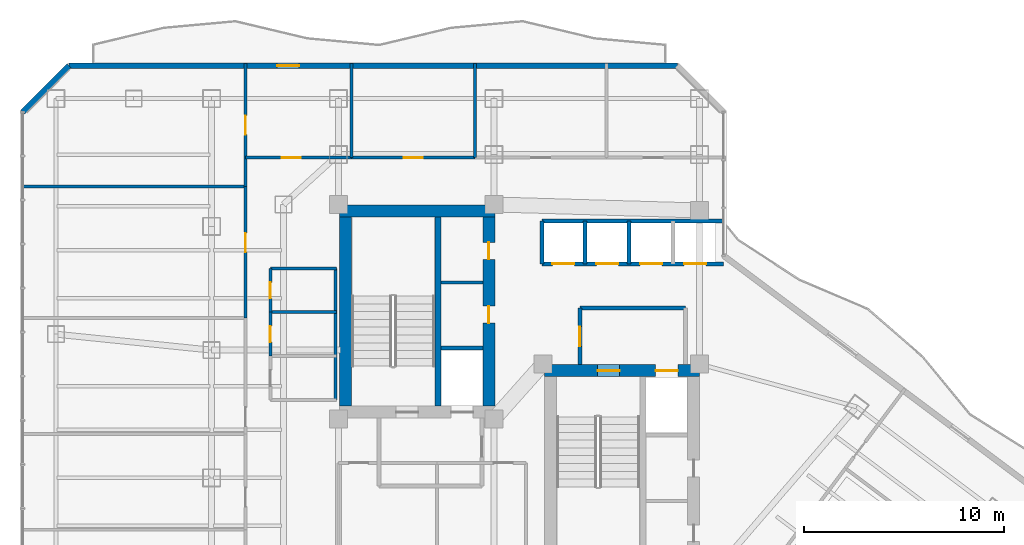
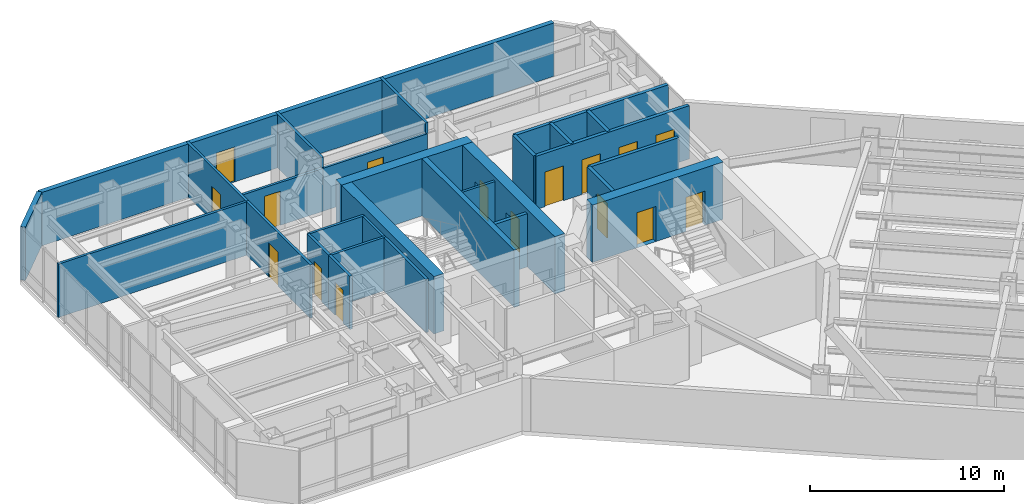
# One storey, part 25 of 31: 28 walls, 16 doors, 16 openings.
"""IFC4 building model written with IfcOpenShell, lengths in metres."""

from ifc_helpers import new_model, si_unit, direction, frame, frame_2d, origin, place, context, subcontext, project, spatial, rectangle, extrude, material, layer, layer_set, type_object, element, fill, save


model = new_model("IFC4")

# Units and contexts
model_context = context("Model", 3, precision=1e-05, world=origin(), true_north=direction((0.0, 1.0)))
body_context = subcontext(model_context, "Body", "Model", "MODEL_VIEW")
ifc_project = project(units=[si_unit("LENGTHUNIT", "METRE"), si_unit("AREAUNIT", "SQUARE_METRE"), si_unit("VOLUMEUNIT", "CUBIC_METRE"), si_unit("PLANEANGLEUNIT", "RADIAN"), si_unit("MASSUNIT", "GRAM", prefix="KILO")], contexts=[model_context])

# Site, building, storey
site_placement = place(None, origin())
site = spatial("IfcSite", under=ifc_project, at=site_placement, CompositionType="ELEMENT")
building_placement = place(site_placement, origin())
building = spatial("IfcBuilding", under=site, at=building_placement, Name="Hatsunagi Terrace Concourse", CompositionType="ELEMENT")
storey_placement = place(building_placement, frame((0.0, 0.0, 112.050048828125)))
storey = spatial("IfcBuildingStorey", under=building, at=storey_placement, Name="L29", CompositionType="ELEMENT", Elevation=112.050048828125)

# Walls
ifc_material_1 = material(Name="Concrete Fc48", Category="concrete")
ifc_layer_1 = layer(ifc_material_1, 0.60009765625)
ifc_layer_set_1 = layer_set([ifc_layer_1], Name="CoreShearWall_Fc48_600")
wall_type_1 = type_object("IfcWallType", Name="CoreShearWall_Fc48_600", PredefinedType="SHEAR", material=ifc_layer_set_1)
wall_1_placement = place(storey_placement, frame((25.6201171875, 42.969970703125, 0.0), z_axis=(0.0, 0.0, 1.0), x_axis=(1.0, 0.0, 0.0)))
element("IfcWall", 1, at=wall_1_placement, inside=storey, type_object=wall_type_1, Name="Core A Shear Wall N L29", PredefinedType="SHEAR", context=body_context, shape_type="SweptSolid", body=[
    extrude(rectangle(XDim=7.77978515625, YDim=0.60009765625, at=frame_2d((3.889892578125, 0.0))), origin(), (0.0, 0.0, 1.0), 3.599853515625),
])
wall_2_placement = place(storey_placement, frame((25.919921875, 33.18994140625, 0.0), z_axis=(0.0, 0.0, 1.0), x_axis=(0.0, 1.0, 0.0)))
element("IfcWall", 2, at=wall_2_placement, inside=storey, type_object=wall_type_1, Name="Core A Shear Wall W L29", PredefinedType="SHEAR", context=body_context, shape_type="SweptSolid", body=[
    extrude(rectangle(XDim=9.47998046875, YDim=0.60009765625, at=frame_2d((4.739990234375, 0.0))), origin(), (0.0, 0.0, 1.0), 3.599853515625),
])

# Wall, openings, doors
wall_3_placement = place(storey_placement, frame((33.10009765625, 33.18994140625, 0.0), z_axis=(0.0, 0.0, 1.0), x_axis=(0.0, 1.0, 0.0)))
wall_3 = element("IfcWall", 3, at=wall_3_placement, inside=storey, type_object=wall_type_1, Name="Core A Shear Wall E L29", PredefinedType="SHEAR", context=body_context, shape_type="SweptSolid", body=[
    extrude(rectangle(XDim=9.47998046875, YDim=0.60009765625, at=frame_2d((4.739990234375, 0.0))), origin(), (0.0, 0.0, 1.0), 3.599853515625),
])
opening_1_placement = place(wall_3_placement, frame((4.159912109375, 0.0, 0.0)))
opening_1 = element("IfcOpeningElement", 4, at=opening_1_placement, cuts=wall_3, Name="Opening DR-085", PredefinedType="OPENING", context=body_context, shape_type="SweptSolid", body=[
    extrude(rectangle(XDim=0.85009765625, YDim=2.080078125, at=frame_2d((0.425048828125, 1.0400390625))), frame((0.0, 0.31005859375, 0.0), z_axis=(0.0, -1.0, 0.0), x_axis=(1.0, 0.0, 0.0)), (0.0, 0.0, 1.0), 0.6201171875),
])
opening_2_placement = place(wall_3_placement, frame((7.360107421875, 0.0, 0.0)))
opening_2 = element("IfcOpeningElement", 5, at=opening_2_placement, cuts=wall_3, Name="Opening DR-085", PredefinedType="OPENING", context=body_context, shape_type="SweptSolid", body=[
    extrude(rectangle(XDim=0.85009765625, YDim=2.080078125, at=frame_2d((0.425048828125, 1.0400390625))), frame((0.0, 0.31005859375, 0.0), z_axis=(0.0, -1.0, 0.0), x_axis=(1.0, 0.0, 0.0)), (0.0, 0.0, 1.0), 0.6201171875),
])
ifc_material_2 = material(Name="Painted steel", Category="steel")
door_type_1 = type_object("IfcDoorType", Name="RiserAccessDoor_EI60_850", OperationType="NOTDEFINED", PredefinedType="DOOR", material=ifc_material_2)
door_1_placement = place(opening_1_placement, origin())
door_1 = element("IfcDoor", 6, at=door_1_placement, inside=storey, type_object=door_type_1, Name="Core A Riser Door L29-1", OperationType="SINGLE_SWING_LEFT", OverallHeight=2.080078125, OverallWidth=0.85009765625, PredefinedType="DOOR", context=body_context, shape_type="SweptSolid", body=[
    extrude(rectangle(XDim=0.85009765625, YDim=2.080078125, at=frame_2d((0.425048828125, 1.0400390625))), frame((0.0, 0.02490234375, 0.0), z_axis=(0.0, -1.0, 0.0), x_axis=(1.0, 0.0, 0.0)), (0.0, 0.0, 1.0), 0.050048828125),
])
fill(opening_1, door_1)
door_2_placement = place(opening_2_placement, origin())
door_2 = element("IfcDoor", 7, at=door_2_placement, inside=storey, type_object=door_type_1, Name="Core A Riser Door L29-2", OperationType="SINGLE_SWING_LEFT", OverallHeight=2.080078125, OverallWidth=0.85009765625, PredefinedType="DOOR", context=body_context, shape_type="SweptSolid", body=[
    extrude(rectangle(XDim=0.85009765625, YDim=2.080078125, at=frame_2d((0.425048828125, 1.0400390625))), frame((0.0, 0.02490234375, 0.0), z_axis=(0.0, -1.0, 0.0), x_axis=(1.0, 0.0, 0.0)), (0.0, 0.0, 1.0), 0.050048828125),
])
fill(opening_2, door_2)

wall_4_placement = place(storey_placement, frame((35.889892578125, 34.969970703125, 0.0), z_axis=(0.0, 0.0, 1.0), x_axis=(1.0, 0.0, 0.0)))
wall_4 = element("IfcWall", 8, at=wall_4_placement, inside=storey, type_object=wall_type_1, Name="Core B Shear Wall N L29", PredefinedType="SHEAR", context=body_context, shape_type="SweptSolid", body=[
    extrude(rectangle(XDim=7.760009765625, YDim=0.60009765625, at=frame_2d((3.8798828125, 0.0))), origin(), (0.0, 0.0, 1.0), 3.599853515625),
])
opening_3_placement = place(wall_4_placement, frame((2.659912109375, 0.0, 0.0)))
opening_3 = element("IfcOpeningElement", 9, at=opening_3_placement, cuts=wall_4, Name="Opening DR-110S", PredefinedType="OPENING", context=body_context, shape_type="SweptSolid", body=[
    extrude(rectangle(XDim=1.10009765625, YDim=2.199951171875, at=frame_2d((0.550048828125, 1.10009765625))), frame((0.0, 0.31005859375, 0.0), z_axis=(0.0, -1.0, 0.0), x_axis=(1.0, 0.0, 0.0)), (0.0, 0.0, 1.0), 0.6201171875),
])
opening_4_placement = place(wall_4_placement, frame((5.56005859375, 0.0, 0.0)))
opening_4 = element("IfcOpeningElement", 10, at=opening_4_placement, cuts=wall_4, Name="Opening LD-02", PredefinedType="OPENING", context=body_context, shape_type="SweptSolid", body=[
    extrude(rectangle(XDim=1.1201171875, YDim=2.14990234375, at=frame_2d((0.56005859375, 1.074951171875))), frame((0.0, 0.31005859375, 0.0), z_axis=(0.0, -1.0, 0.0), x_axis=(1.0, 0.0, 0.0)), (0.0, 0.0, 1.0), 0.6201171875),
])
ifc_material_3 = material(Name="Stainless steel", Category="steel")
door_type_2 = type_object("IfcDoorType", Name="LiftLandingDoor_LD02", OperationType="SLIDING_TO_RIGHT", PredefinedType="USERDEFINED", material=ifc_material_3)
door_3_placement = place(opening_4_placement, origin())
door_3 = element("IfcDoor", 11, at=door_3_placement, inside=storey, type_object=door_type_2, Name="Lift landing door FF-02 L29", ObjectType="SLIDING_LANDING_DOOR", OperationType="SLIDING_TO_RIGHT", OverallHeight=2.14990234375, OverallWidth=1.1201171875, PredefinedType="USERDEFINED", context=body_context, shape_type="SweptSolid", body=[
    extrude(rectangle(XDim=1.1201171875, YDim=2.14990234375, at=frame_2d((0.56005859375, 1.074951171875))), frame((0.0, 0.02490234375, 0.0), z_axis=(0.0, -1.0, 0.0), x_axis=(1.0, 0.0, 0.0)), (0.0, 0.0, 1.0), 0.050048828125),
])
fill(opening_4, door_3)
ifc_material_4 = material(Name="Painted steel", Category="steel")
door_type_3 = type_object("IfcDoorType", Name="StairFireDoor_EI60_1100", OperationType="NOTDEFINED", PredefinedType="DOOR", material=ifc_material_4)
door_4_placement = place(opening_3_placement, origin())
door_4 = element("IfcDoor", 12, at=door_4_placement, inside=storey, type_object=door_type_3, Name="Stair ST-B Exit Door L29", OperationType="SINGLE_SWING_RIGHT", OverallHeight=2.199951171875, OverallWidth=1.10009765625, PredefinedType="DOOR", context=body_context, shape_type="SweptSolid", body=[
    extrude(rectangle(XDim=1.10009765625, YDim=2.199951171875, at=frame_2d((0.550048828125, 1.10009765625))), frame((0.0, 0.02490234375, 0.0), z_axis=(0.0, -1.0, 0.0), x_axis=(1.0, 0.0, 0.0)), (0.0, 0.0, 1.0), 0.050048828125),
])
fill(opening_3, door_4)

# Walls
ifc_material_5 = material(Name="Concrete Fc48", Category="concrete")
ifc_layer_2 = layer(ifc_material_5, 0.300048828125)
ifc_layer_set_2 = layer_set([ifc_layer_2], Name="CoreStairDivider_Fc48_300")
wall_type_2 = type_object("IfcWallType", Name="CoreStairDivider_Fc48_300", PredefinedType="SHEAR", material=ifc_layer_set_2)
wall_5_placement = place(storey_placement, frame((30.5400390625, 33.18994140625, 0.0), z_axis=(0.0, 0.0, 1.0), x_axis=(0.0, 1.0, 0.0)))
element("IfcWall", 13, at=wall_5_placement, inside=storey, type_object=wall_type_2, Name="Core A Shear Wall D L29", PredefinedType="SHEAR", context=body_context, shape_type="SweptSolid", body=[
    extrude(rectangle(XDim=9.47998046875, YDim=0.300048828125, at=frame_2d((4.739990234375, 0.0))), origin(), (0.0, 0.0, 1.0), 3.599853515625),
])
ifc_material_6 = material(Name="Acoustic mineral board", Category="gypsum")
ifc_layer_3 = layer(ifc_material_6, 0.14990234375)
ifc_layer_set_3 = layer_set([ifc_layer_3], Name="PartitionWall_EI60_150")
wall_type_3 = type_object("IfcWallType", Name="PartitionWall_EI60_150", PredefinedType="PARTITIONING", material=ifc_layer_set_3)
wall_6_placement = place(storey_placement, frame((30.699951171875, 39.39990234375, 0.0), z_axis=(0.0, 0.0, 1.0), x_axis=(1.0, 0.0, 0.0)))
element("IfcWall", 14, at=wall_6_placement, inside=storey, type_object=wall_type_3, Name="Interior Partition IW-L29-002", PredefinedType="PARTITIONING", context=body_context, shape_type="SweptSolid", body=[
    extrude(rectangle(XDim=2.10009765625, YDim=0.14990234375, at=frame_2d((1.050048828125, 0.0))), origin(), (0.0, 0.0, 1.0), 3.349853515625),
])
wall_7_placement = place(storey_placement, frame((22.14990234375, 40.10009765625, 0.0), z_axis=(0.0, 0.0, 1.0), x_axis=(1.0, 0.0, 0.0)))
element("IfcWall", 15, at=wall_7_placement, inside=storey, type_object=wall_type_3, Name="Interior Partition IW-L29-018", PredefinedType="PARTITIONING", context=body_context, shape_type="SweptSolid", body=[
    extrude(rectangle(XDim=3.300048828125, YDim=0.14990234375, at=frame_2d((1.64990234375, 0.0))), origin(), (0.0, 0.0, 1.0), 3.349853515625),
])
wall_8_placement = place(storey_placement, frame((25.39990234375, 33.5, 0.0), z_axis=(0.0, 0.0, 1.0), x_axis=(0.0, 1.0, 0.0)))
element("IfcWall", 16, at=wall_8_placement, inside=storey, type_object=wall_type_3, Name="Interior Partition IW-L29-019", PredefinedType="PARTITIONING", context=body_context, shape_type="SweptSolid", body=[
    extrude(rectangle(XDim=6.60009765625, YDim=0.14990234375, at=frame_2d((3.300048828125, 0.0))), origin(), (0.0, 0.0, 1.0), 3.349853515625),
])
wall_9_placement = place(storey_placement, frame((22.14990234375, 37.89990234375, 0.0), z_axis=(0.0, 0.0, 1.0), x_axis=(1.0, 0.0, 0.0)))
element("IfcWall", 17, at=wall_9_placement, inside=storey, type_object=wall_type_3, Name="Interior Partition IW-L29-021", PredefinedType="PARTITIONING", context=body_context, shape_type="SweptSolid", body=[
    extrude(rectangle(XDim=3.300048828125, YDim=0.14990234375, at=frame_2d((1.64990234375, 0.0))), origin(), (0.0, 0.0, 1.0), 3.349853515625),
])

# Wall, opening, door
wall_10_placement = place(storey_placement, frame((22.14990234375, 35.699951171875, 0.0), z_axis=(0.0, 0.0, 1.0), x_axis=(0.0, 1.0, 0.0)))
wall_10 = element("IfcWall", 18, at=wall_10_placement, inside=storey, type_object=wall_type_3, Name="Interior Partition IW-L29-023", PredefinedType="PARTITIONING", context=body_context, shape_type="SweptSolid", body=[
    extrude(rectangle(XDim=2.199951171875, YDim=0.14990234375, at=frame_2d((1.10009765625, 0.0))), origin(), (0.0, 0.0, 1.0), 3.349853515625),
])
opening_5_placement = place(wall_10_placement, frame((0.699951171875, 0.0, 0.0)))
opening_5 = element("IfcOpeningElement", 19, at=opening_5_placement, cuts=wall_10, Name="Opening DR-080", PredefinedType="OPENING", context=body_context, shape_type="SweptSolid", body=[
    extrude(rectangle(XDim=0.800048828125, YDim=2.06005859375, at=frame_2d((0.39990234375, 1.030029296875))), frame((0.0, 0.0849609375, 0.0), z_axis=(0.0, -1.0, 0.0), x_axis=(1.0, 0.0, 0.0)), (0.0, 0.0, 1.0), 0.169921875),
])
ifc_material_7 = material(Name="Hardwood timber", Category="wood")
door_type_4 = type_object("IfcDoorType", Name="BathroomDoor_800", OperationType="NOTDEFINED", PredefinedType="DOOR", material=ifc_material_7)
door_5_placement = place(opening_5_placement, origin())
door_5 = element("IfcDoor", 20, at=door_5_placement, inside=storey, type_object=door_type_4, Name="Female Restroom Door L29", OperationType="SINGLE_SWING_RIGHT", OverallHeight=2.06005859375, OverallWidth=0.800048828125, PredefinedType="DOOR", context=body_context, shape_type="SweptSolid", body=[
    extrude(rectangle(XDim=0.800048828125, YDim=2.06005859375, at=frame_2d((0.39990234375, 1.030029296875))), frame((0.0, 0.02490234375, 0.0), z_axis=(0.0, -1.0, 0.0), x_axis=(1.0, 0.0, 0.0)), (0.0, 0.0, 1.0), 0.050048828125),
])
fill(opening_5, door_5)

wall_11_placement = place(storey_placement, frame((22.14990234375, 37.89990234375, 0.0), z_axis=(0.0, 0.0, 1.0), x_axis=(0.0, 1.0, 0.0)))
wall_11 = element("IfcWall", 21, at=wall_11_placement, inside=storey, type_object=wall_type_3, Name="Interior Partition IW-L29-024", PredefinedType="PARTITIONING", context=body_context, shape_type="SweptSolid", body=[
    extrude(rectangle(XDim=2.2001953125, YDim=0.14990234375, at=frame_2d((1.10009765625, 0.0))), origin(), (0.0, 0.0, 1.0), 3.349853515625),
])
opening_6_placement = place(wall_11_placement, frame((0.699951171875, 0.0, 0.0)))
opening_6 = element("IfcOpeningElement", 22, at=opening_6_placement, cuts=wall_11, Name="Opening DR-080", PredefinedType="OPENING", context=body_context, shape_type="SweptSolid", body=[
    extrude(rectangle(XDim=0.800048828125, YDim=2.06005859375, at=frame_2d((0.39990234375, 1.030029296875))), frame((0.0, 0.0849609375, 0.0), z_axis=(0.0, -1.0, 0.0), x_axis=(1.0, 0.0, 0.0)), (0.0, 0.0, 1.0), 0.169921875),
])
door_6_placement = place(opening_6_placement, origin())
door_6 = element("IfcDoor", 23, at=door_6_placement, inside=storey, type_object=door_type_4, Name="Male Restroom Door L29", OperationType="SINGLE_SWING_RIGHT", OverallHeight=2.06005859375, OverallWidth=0.800048828125, PredefinedType="DOOR", context=body_context, shape_type="SweptSolid", body=[
    extrude(rectangle(XDim=0.800048828125, YDim=2.06005859375, at=frame_2d((0.39990234375, 1.030029296875))), frame((0.0, 0.02490234375, 0.0), z_axis=(0.0, -1.0, 0.0), x_axis=(1.0, 0.0, 0.0)), (0.0, 0.0, 1.0), 0.050048828125),
])
fill(opening_6, door_6)

# Wall
wall_12_placement = place(storey_placement, frame((9.639892578125, 44.199951171875, 0.0), z_axis=(0.0, 0.0, 1.0), x_axis=(1.0, 0.0, 0.0)))
element("IfcWall", 24, at=wall_12_placement, inside=storey, type_object=wall_type_3, Name="Interior Partition IW-L29-038", PredefinedType="PARTITIONING", context=body_context, shape_type="SweptSolid", body=[
    extrude(rectangle(XDim=11.260009765625, YDim=0.14990234375, at=frame_2d((5.6298828125, 0.0))), origin(), (0.0, 0.0, 1.0), 3.349853515625),
])

# Wall, opening, door
wall_13_placement = place(storey_placement, frame((20.89990234375, 37.60009765625, 0.0), z_axis=(0.0, 0.0, 1.0), x_axis=(0.0, 1.0, 0.0)))
wall_13 = element("IfcWall", 25, at=wall_13_placement, inside=storey, type_object=wall_type_3, Name="Interior Partition IW-L29-039", PredefinedType="PARTITIONING", context=body_context, shape_type="SweptSolid", body=[
    extrude(rectangle(XDim=6.599853515625, YDim=0.14990234375, at=frame_2d((3.2998046875, 0.0))), origin(), (0.0, 0.0, 1.0), 3.349853515625),
])
opening_7_placement = place(wall_13_placement, frame((3.31396484375, 0.0, 0.0)))
opening_7 = element("IfcOpeningElement", 26, at=opening_7_placement, cuts=wall_13, Name="Opening DR-095", PredefinedType="OPENING", context=body_context, shape_type="SweptSolid", body=[
    extrude(rectangle(XDim=0.949951171875, YDim=2.14990234375, at=frame_2d((0.47509765625, 1.074951171875))), frame((0.0, 0.0849609375, 0.0), z_axis=(0.0, -1.0, 0.0), x_axis=(1.0, 0.0, 0.0)), (0.0, 0.0, 1.0), 0.169921875),
])
ifc_material_8 = material(Name="Hardwood timber", Category="wood")
door_type_5 = type_object("IfcDoorType", Name="InteriorSuiteDoor_EI30_950", OperationType="NOTDEFINED", PredefinedType="DOOR", material=ifc_material_8)
door_7_placement = place(opening_7_placement, origin())
door_7 = element("IfcDoor", 27, at=door_7_placement, inside=storey, type_object=door_type_5, Name="Team Innovation Studio L29-OW4 Door", OperationType="SINGLE_SWING_RIGHT", OverallHeight=2.14990234375, OverallWidth=0.949951171875, PredefinedType="DOOR", context=body_context, shape_type="SweptSolid", body=[
    extrude(rectangle(XDim=0.949951171875, YDim=2.14990234375, at=frame_2d((0.47509765625, 1.074951171875))), frame((0.0, 0.02490234375, 0.0), z_axis=(0.0, -1.0, 0.0), x_axis=(1.0, 0.0, 0.0)), (0.0, 0.0, 1.0), 0.050048828125),
])
fill(opening_7, door_7)

wall_14_placement = place(storey_placement, frame((20.89990234375, 44.199951171875, 0.0), z_axis=(0.0, 0.0, 1.0), x_axis=(0.0, 1.0, 0.0)))
wall_14 = element("IfcWall", 28, at=wall_14_placement, inside=storey, type_object=wall_type_3, Name="Interior Partition IW-L29-040", PredefinedType="PARTITIONING", context=body_context, shape_type="SweptSolid", body=[
    extrude(rectangle(XDim=6.16015625, YDim=0.14990234375, at=frame_2d((3.080078125, 0.0))), origin(), (0.0, 0.0, 1.0), 3.349853515625),
])
opening_8_placement = place(wall_14_placement, frame((2.60498046875, 0.0, 0.0)))
opening_8 = element("IfcOpeningElement", 29, at=opening_8_placement, cuts=wall_14, Name="Opening DR-095", PredefinedType="OPENING", context=body_context, shape_type="SweptSolid", body=[
    extrude(rectangle(XDim=0.949951171875, YDim=2.14990234375, at=frame_2d((0.47509765625, 1.074951171875))), frame((0.0, 0.0849609375, 0.0), z_axis=(0.0, -1.0, 0.0), x_axis=(1.0, 0.0, 0.0)), (0.0, 0.0, 1.0), 0.169921875),
])
door_8_placement = place(opening_8_placement, origin())
door_8 = element("IfcDoor", 30, at=door_8_placement, inside=storey, type_object=door_type_5, Name="Meeting Room L29-OW5 Door", OperationType="SINGLE_SWING_RIGHT", OverallHeight=2.14990234375, OverallWidth=0.949951171875, PredefinedType="DOOR", context=body_context, shape_type="SweptSolid", body=[
    extrude(rectangle(XDim=0.949951171875, YDim=2.14990234375, at=frame_2d((0.47509765625, 1.074951171875))), frame((0.0, 0.02490234375, 0.0), z_axis=(0.0, -1.0, 0.0), x_axis=(1.0, 0.0, 0.0)), (0.0, 0.0, 1.0), 0.050048828125),
])
fill(opening_8, door_8)

wall_15_placement = place(storey_placement, frame((20.89990234375, 45.64990234375, 0.0), z_axis=(0.0, 0.0, 1.0), x_axis=(1.0, 0.0, 0.0)))
wall_15 = element("IfcWall", 31, at=wall_15_placement, inside=storey, type_object=wall_type_3, Name="Interior Partition IW-L29-041", PredefinedType="PARTITIONING", context=body_context, shape_type="SweptSolid", body=[
    extrude(rectangle(XDim=5.300048828125, YDim=0.14990234375, at=frame_2d((2.64990234375, 0.0))), origin(), (0.0, 0.0, 1.0), 2.695068359375),
])
opening_9_placement = place(wall_15_placement, frame((1.81591796875, 0.0, 0.0)))
opening_9 = element("IfcOpeningElement", 32, at=opening_9_placement, cuts=wall_15, Name="Opening DR-095", PredefinedType="OPENING", context=body_context, shape_type="SweptSolid", body=[
    extrude(rectangle(XDim=0.949951171875, YDim=2.14990234375, at=frame_2d((0.47509765625, 1.074951171875))), frame((0.0, 0.0849609375, 0.0), z_axis=(0.0, -1.0, 0.0), x_axis=(1.0, 0.0, 0.0)), (0.0, 0.0, 1.0), 0.169921875),
])
door_9_placement = place(opening_9_placement, origin())
door_9 = element("IfcDoor", 33, at=door_9_placement, inside=storey, type_object=door_type_5, Name="Executive Briefing Room L29-ON1 Door", OperationType="SINGLE_SWING_LEFT", OverallHeight=2.14990234375, OverallWidth=0.949951171875, PredefinedType="DOOR", context=body_context, shape_type="SweptSolid", body=[
    extrude(rectangle(XDim=0.949951171875, YDim=2.14990234375, at=frame_2d((0.47509765625, 1.074951171875))), frame((0.0, 0.02490234375, 0.0), z_axis=(0.0, -1.0, 0.0), x_axis=(1.0, 0.0, 0.0)), (0.0, 0.0, 1.0), 0.050048828125),
])
fill(opening_9, door_9)

# Wall
wall_16_placement = place(storey_placement, frame((26.199951171875, 45.64990234375, 0.0), z_axis=(0.0, 0.0, 1.0), x_axis=(0.0, 1.0, 0.0)))
element("IfcWall", 34, at=wall_16_placement, inside=storey, type_object=wall_type_3, Name="Interior Partition IW-L29-042", PredefinedType="PARTITIONING", context=body_context, shape_type="SweptSolid", body=[
    extrude(rectangle(XDim=4.710205078125, YDim=0.14990234375, at=frame_2d((2.35498046875, 0.0))), origin(), (0.0, 0.0, 1.0), 3.349853515625),
])

# Wall, opening, door
wall_17_placement = place(storey_placement, frame((26.199951171875, 45.64990234375, 0.0), z_axis=(0.0, 0.0, 1.0), x_axis=(1.0, 0.0, 0.0)))
wall_17 = element("IfcWall", 35, at=wall_17_placement, inside=storey, type_object=wall_type_3, Name="Interior Partition IW-L29-043", PredefinedType="PARTITIONING", context=body_context, shape_type="SweptSolid", body=[
    extrude(rectangle(XDim=6.199951171875, YDim=0.14990234375, at=frame_2d((3.10009765625, 0.0))), origin(), (0.0, 0.0, 1.0), 2.695068359375),
])
opening_10_placement = place(wall_17_placement, frame((2.625, 0.0, 0.0)))
opening_10 = element("IfcOpeningElement", 36, at=opening_10_placement, cuts=wall_17, Name="Opening DR-095", PredefinedType="OPENING", context=body_context, shape_type="SweptSolid", body=[
    extrude(rectangle(XDim=0.949951171875, YDim=2.14990234375, at=frame_2d((0.47509765625, 1.074951171875))), frame((0.0, 0.0849609375, 0.0), z_axis=(0.0, -1.0, 0.0), x_axis=(1.0, 0.0, 0.0)), (0.0, 0.0, 1.0), 0.169921875),
])
door_10_placement = place(opening_10_placement, origin())
door_10 = element("IfcDoor", 37, at=door_10_placement, inside=storey, type_object=door_type_5, Name="Client Consultation Room L29-ON2 Door", OperationType="SINGLE_SWING_RIGHT", OverallHeight=2.14990234375, OverallWidth=0.949951171875, PredefinedType="DOOR", context=body_context, shape_type="SweptSolid", body=[
    extrude(rectangle(XDim=0.949951171875, YDim=2.14990234375, at=frame_2d((0.47509765625, 1.074951171875))), frame((0.0, 0.02490234375, 0.0), z_axis=(0.0, -1.0, 0.0), x_axis=(1.0, 0.0, 0.0)), (0.0, 0.0, 1.0), 0.050048828125),
])
fill(opening_10, door_10)

# Walls
wall_18_placement = place(storey_placement, frame((32.39990234375, 45.64990234375, 0.0), z_axis=(0.0, 0.0, 1.0), x_axis=(0.0, 1.0, 0.0)))
element("IfcWall", 38, at=wall_18_placement, inside=storey, type_object=wall_type_3, Name="Interior Partition IW-L29-044", PredefinedType="PARTITIONING", context=body_context, shape_type="SweptSolid", body=[
    extrude(rectangle(XDim=4.710205078125, YDim=0.14990234375, at=frame_2d((2.35498046875, 0.0))), origin(), (0.0, 0.0, 1.0), 3.349853515625),
])
ifc_material_9 = material(Name="Acoustic mineral board", Category="gypsum")
ifc_layer_4 = layer(ifc_material_9, 0.199951171875)
ifc_layer_set_4 = layer_set([ifc_layer_4], Name="ShaftWall_EI120_200")
wall_type_4 = type_object("IfcWallType", Name="ShaftWall_EI120_200", PredefinedType="STANDARD", material=ifc_layer_set_4)
wall_19_placement = place(storey_placement, frame((30.699951171875, 36.10009765625, 0.0), z_axis=(0.0, 0.0, 1.0), x_axis=(1.0, 0.0, 0.0)))
element("IfcWall", 39, at=wall_19_placement, inside=storey, type_object=wall_type_4, Name="Interior Partition IW-L29-001", PredefinedType="STANDARD", context=body_context, shape_type="SweptSolid", body=[
    extrude(rectangle(XDim=2.10009765625, YDim=0.199951171875, at=frame_2d((1.050048828125, 0.0))), origin(), (0.0, 0.0, 1.0), 3.349853515625),
])
wall_20_placement = place(storey_placement, frame((37.64990234375, 38.10009765625, 0.0), z_axis=(0.0, 0.0, 1.0), x_axis=(1.0, 0.0, 0.0)))
element("IfcWall", 40, at=wall_20_placement, inside=storey, type_object=wall_type_4, Name="Interior Partition IW-L29-008", PredefinedType="STANDARD", context=body_context, shape_type="SweptSolid", body=[
    extrude(rectangle(XDim=5.300048828125, YDim=0.199951171875, at=frame_2d((2.64990234375, 0.0))), origin(), (0.0, 0.0, 1.0), 3.349853515625),
])

# Wall, opening, door
wall_21_placement = place(storey_placement, frame((37.64990234375, 35.27001953125, 0.0), z_axis=(0.0, 0.0, 1.0), x_axis=(0.0, 1.0, 0.0)))
wall_21 = element("IfcWall", 41, at=wall_21_placement, inside=storey, type_object=wall_type_4, Name="Interior Partition IW-L29-010", PredefinedType="STANDARD", context=body_context, shape_type="SweptSolid", body=[
    extrude(rectangle(XDim=2.830078125, YDim=0.199951171875, at=frame_2d((1.4150390625, 0.0))), origin(), (0.0, 0.0, 1.0), 3.349853515625),
])
opening_11_placement = place(wall_21_placement, frame((0.9150390625, 0.0, 0.0)))
opening_11 = element("IfcOpeningElement", 42, at=opening_11_placement, cuts=wall_21, Name="Opening DR-100F", PredefinedType="OPENING", context=body_context, shape_type="SweptSolid", body=[
    extrude(rectangle(XDim=1.0, YDim=2.199951171875, at=frame_2d((0.5, 1.10009765625))), frame((0.0, 0.10986328125, 0.0), z_axis=(0.0, -1.0, 0.0), x_axis=(1.0, 0.0, 0.0)), (0.0, 0.0, 1.0), 0.219970703125),
])
ifc_material_10 = material(Name="Painted steel", Category="steel")
door_type_6 = type_object("IfcDoorType", Name="FireDoor_EI60_1000", OperationType="NOTDEFINED", PredefinedType="DOOR", material=ifc_material_10)
door_11_placement = place(opening_11_placement, origin())
door_11 = element("IfcDoor", 43, at=door_11_placement, inside=storey, type_object=door_type_6, Name="Firefighting Lobby B Door L29", OperationType="SINGLE_SWING_RIGHT", OverallHeight=2.199951171875, OverallWidth=1.0, PredefinedType="DOOR", context=body_context, shape_type="SweptSolid", body=[
    extrude(rectangle(XDim=1.0, YDim=2.199951171875, at=frame_2d((0.5, 1.10009765625))), frame((0.0, 0.02490234375, 0.0), z_axis=(0.0, -1.0, 0.0), x_axis=(1.0, 0.0, 0.0)), (0.0, 0.0, 1.0), 0.050048828125),
])
fill(opening_11, door_11)

# Walls
wall_22_placement = place(storey_placement, frame((35.75, 42.47998046875, 0.0), z_axis=(0.0, 0.0, 1.0), x_axis=(1.0, 0.0, 0.0)))
element("IfcWall", 44, at=wall_22_placement, inside=storey, type_object=wall_type_4, Name="Interior Partition IW-L29-011", PredefinedType="STANDARD", context=body_context, shape_type="SweptSolid", body=[
    extrude(rectangle(XDim=9.110107421875, YDim=0.199951171875, at=frame_2d((4.55517578125, 0.0))), origin(), (0.0, 0.0, 1.0), 3.349853515625),
])
for number, where, z_axis, x_axis, name in (
    (45, (35.75, 40.320068359375, 0.0), (0.0, 0.0, 1.0), (0.0, 1.0, 0.0), "Interior Partition IW-L29-012"),
    (46, (37.919921875, 40.320068359375, 0.0), (0.0, 0.0, 1.0), (0.0, 1.0, 0.0), "Interior Partition IW-L29-013"),
    (47, (40.1201171875, 40.320068359375, 0.0), (0.0, 0.0, 1.0), (0.0, 1.0, 0.0), "Interior Partition IW-L29-014"),
):
    element("IfcWall", number, at=place(storey_placement, frame(where, z_axis=z_axis, x_axis=x_axis)), inside=storey, type_object=wall_type_4, Name=name, PredefinedType="STANDARD", context=body_context, shape_type="SweptSolid", body=[
        extrude(rectangle(XDim=2.159912109375, YDim=0.199951171875, at=frame_2d((1.080078125, 0.0))), origin(), (0.0, 0.0, 1.0), 3.349853515625),
    ])

# Wall, openings, doors
wall_23_placement = place(storey_placement, frame((35.75, 40.320068359375, 0.0), z_axis=(0.0, 0.0, 1.0), x_axis=(1.0, 0.0, 0.0)))
wall_23 = element("IfcWall", 48, at=wall_23_placement, inside=storey, type_object=wall_type_4, Name="Interior Partition IW-L29-016", PredefinedType="STANDARD", context=body_context, shape_type="SweptSolid", body=[
    extrude(rectangle(XDim=9.110107421875, YDim=0.199951171875, at=frame_2d((4.55517578125, 0.0))), origin(), (0.0, 0.0, 1.0), 3.349853515625),
])
opening_12_placement = place(wall_23_placement, frame((0.530029296875, 0.0, 0.0)))
opening_12 = element("IfcOpeningElement", 49, at=opening_12_placement, cuts=wall_23, Name="Opening LD-04", PredefinedType="OPENING", context=body_context, shape_type="SweptSolid", body=[
    extrude(rectangle(XDim=1.10009765625, YDim=2.179931640625, at=frame_2d((0.550048828125, 1.08984375))), frame((0.0, 0.10986328125, 0.0), z_axis=(0.0, -1.0, 0.0), x_axis=(1.0, 0.0, 0.0)), (0.0, 0.0, 1.0), 0.219970703125),
])
opening_13_placement = place(wall_23_placement, frame((2.72998046875, 0.0, 0.0)))
opening_13 = element("IfcOpeningElement", 50, at=opening_13_placement, cuts=wall_23, Name="Opening LD-04", PredefinedType="OPENING", context=body_context, shape_type="SweptSolid", body=[
    extrude(rectangle(XDim=1.10009765625, YDim=2.179931640625, at=frame_2d((0.550048828125, 1.08984375))), frame((0.0, 0.10986328125, 0.0), z_axis=(0.0, -1.0, 0.0), x_axis=(1.0, 0.0, 0.0)), (0.0, 0.0, 1.0), 0.219970703125),
])
opening_14_placement = place(wall_23_placement, frame((4.929931640625, 0.0, 0.0)))
opening_14 = element("IfcOpeningElement", 51, at=opening_14_placement, cuts=wall_23, Name="Opening LD-04", PredefinedType="OPENING", context=body_context, shape_type="SweptSolid", body=[
    extrude(rectangle(XDim=1.10009765625, YDim=2.179931640625, at=frame_2d((0.550048828125, 1.08984375))), frame((0.0, 0.10986328125, 0.0), z_axis=(0.0, -1.0, 0.0), x_axis=(1.0, 0.0, 0.0)), (0.0, 0.0, 1.0), 0.219970703125),
])
opening_15_placement = place(wall_23_placement, frame((7.1298828125, 0.0, 0.0)))
opening_15 = element("IfcOpeningElement", 52, at=opening_15_placement, cuts=wall_23, Name="Opening LD-04", PredefinedType="OPENING", context=body_context, shape_type="SweptSolid", body=[
    extrude(rectangle(XDim=1.10009765625, YDim=2.179931640625, at=frame_2d((0.550048828125, 1.08984375))), frame((0.0, 0.10986328125, 0.0), z_axis=(0.0, -1.0, 0.0), x_axis=(1.0, 0.0, 0.0)), (0.0, 0.0, 1.0), 0.219970703125),
])
ifc_material_11 = material(Name="Stainless steel", Category="steel")
door_type_7 = type_object("IfcDoorType", Name="LiftLandingDoor_LD04", OperationType="SLIDING_TO_RIGHT", PredefinedType="USERDEFINED", material=ifc_material_11)
door_12_placement = place(opening_12_placement, origin())
door_12 = element("IfcDoor", 53, at=door_12_placement, inside=storey, type_object=door_type_7, Name="Lift landing door PL-05 L29", ObjectType="SLIDING_LANDING_DOOR", OperationType="SLIDING_TO_RIGHT", OverallHeight=2.179931640625, OverallWidth=1.10009765625, PredefinedType="USERDEFINED", context=body_context, shape_type="SweptSolid", body=[
    extrude(rectangle(XDim=1.10009765625, YDim=2.179931640625, at=frame_2d((0.550048828125, 1.08984375))), frame((0.0, 0.02490234375, 0.0), z_axis=(0.0, -1.0, 0.0), x_axis=(1.0, 0.0, 0.0)), (0.0, 0.0, 1.0), 0.050048828125),
])
fill(opening_12, door_12)
door_13_placement = place(opening_13_placement, origin())
door_13 = element("IfcDoor", 54, at=door_13_placement, inside=storey, type_object=door_type_7, Name="Lift landing door PL-06 L29", ObjectType="SLIDING_LANDING_DOOR", OperationType="SLIDING_TO_RIGHT", OverallHeight=2.179931640625, OverallWidth=1.10009765625, PredefinedType="USERDEFINED", context=body_context, shape_type="SweptSolid", body=[
    extrude(rectangle(XDim=1.10009765625, YDim=2.179931640625, at=frame_2d((0.550048828125, 1.08984375))), frame((0.0, 0.02490234375, 0.0), z_axis=(0.0, -1.0, 0.0), x_axis=(1.0, 0.0, 0.0)), (0.0, 0.0, 1.0), 0.050048828125),
])
fill(opening_13, door_13)
door_14_placement = place(opening_14_placement, origin())
door_14 = element("IfcDoor", 55, at=door_14_placement, inside=storey, type_object=door_type_7, Name="Lift landing door PL-07 L29", ObjectType="SLIDING_LANDING_DOOR", OperationType="SLIDING_TO_RIGHT", OverallHeight=2.179931640625, OverallWidth=1.10009765625, PredefinedType="USERDEFINED", context=body_context, shape_type="SweptSolid", body=[
    extrude(rectangle(XDim=1.10009765625, YDim=2.179931640625, at=frame_2d((0.550048828125, 1.08984375))), frame((0.0, 0.02490234375, 0.0), z_axis=(0.0, -1.0, 0.0), x_axis=(1.0, 0.0, 0.0)), (0.0, 0.0, 1.0), 0.050048828125),
])
fill(opening_14, door_14)
door_15_placement = place(opening_15_placement, origin())
door_15 = element("IfcDoor", 56, at=door_15_placement, inside=storey, type_object=door_type_7, Name="Lift landing door PL-08 L29", ObjectType="SLIDING_LANDING_DOOR", OperationType="SLIDING_TO_RIGHT", OverallHeight=2.179931640625, OverallWidth=1.10009765625, PredefinedType="USERDEFINED", context=body_context, shape_type="SweptSolid", body=[
    extrude(rectangle(XDim=1.10009765625, YDim=2.179931640625, at=frame_2d((0.550048828125, 1.08984375))), frame((0.0, 0.02490234375, 0.0), z_axis=(0.0, -1.0, 0.0), x_axis=(1.0, 0.0, 0.0)), (0.0, 0.0, 1.0), 0.050048828125),
])
fill(opening_15, door_15)

# Wall
ifc_material_12 = material(Name="Autoclaved Lightweight Concrete and Terracotta Cladding", Category="masonry")
ifc_layer_5 = layer(ifc_material_12, 0.280029296875)
ifc_layer_set_5 = layer_set([ifc_layer_5], Name="TerracottaSpandrelWall_280")
wall_type_5 = type_object("IfcWallType", Name="TerracottaSpandrelWall_280", PredefinedType="STANDARD", material=ifc_layer_set_5)
wall_24_placement = place(storey_placement, frame((9.739990234375, 47.94189453125, 0.0), z_axis=(0.0, 0.0, 1.0), x_axis=(0.707106781187, 0.707106781187, 0.0)))
element("IfcWall", 57, at=wall_24_placement, inside=storey, type_object=wall_type_5, Name="Exterior Spandrel Wall EW-L29-10", PredefinedType="STANDARD", context=body_context, shape_type="SweptSolid", body=[
    extrude(rectangle(XDim=3.2783203125, YDim=0.280029296875, at=frame_2d((1.63916015625, 0.0))), origin(), (0.0, 0.0, 1.0), 3.349853515625),
])

# Wall, opening, door
wall_25_placement = place(storey_placement, frame((12.05810546875, 50.260009765625, 0.0), z_axis=(0.0, 0.0, 1.0), x_axis=(1.0, 0.0, 0.0)))
wall_25 = element("IfcWall", 58, at=wall_25_placement, inside=storey, type_object=wall_type_5, Name="Exterior Spandrel Wall EW-L29-11", PredefinedType="STANDARD", context=body_context, shape_type="SweptSolid", body=[
    extrude(rectangle(XDim=30.48388671875, YDim=0.280029296875, at=frame_2d((15.241943359375, 0.0))), origin(), (0.0, 0.0, 1.0), 3.349853515625),
])
opening_16_placement = place(wall_25_placement, frame((10.424072265625, 0.0, 0.0)))
opening_16 = element("IfcOpeningElement", 59, at=opening_16_placement, cuts=wall_25, Name="Opening BD-01", PredefinedType="OPENING", context=body_context, shape_type="SweptSolid", body=[
    extrude(rectangle(XDim=1.10009765625, YDim=2.199951171875, at=frame_2d((0.550048828125, 1.10009765625))), frame((0.0, 0.14990234375, 0.0), z_axis=(0.0, -1.0, 0.0), x_axis=(1.0, 0.0, 0.0)), (0.0, 0.0, 1.0), 0.300048828125),
])
ifc_material_13 = material(Name="Galvanised Steel and Laminated Safety Glass", Category="steel")
door_type_8 = type_object("IfcDoorType", Name="BalconyTerraceAccessDoor_1100x2200", OperationType="SINGLE_SWING_LEFT", PredefinedType="DOOR", material=ifc_material_13)
door_16_placement = place(opening_16_placement, origin())
door_16 = element("IfcDoor", 60, at=door_16_placement, inside=storey, type_object=door_type_8, Name="Engawa Balcony Door L29-BN", OperationType="SINGLE_SWING_RIGHT", OverallHeight=2.199951171875, OverallWidth=1.10009765625, PredefinedType="DOOR", context=body_context, shape_type="SweptSolid", body=[
    extrude(rectangle(XDim=1.10009765625, YDim=2.199951171875, at=frame_2d((0.550048828125, 1.10009765625))), frame((0.0, 0.02490234375, 0.0), z_axis=(0.0, -1.0, 0.0), x_axis=(1.0, 0.0, 0.0)), (0.0, 0.0, 1.0), 0.050048828125),
])
fill(opening_16, door_16)

save(model, "model.ifc")
